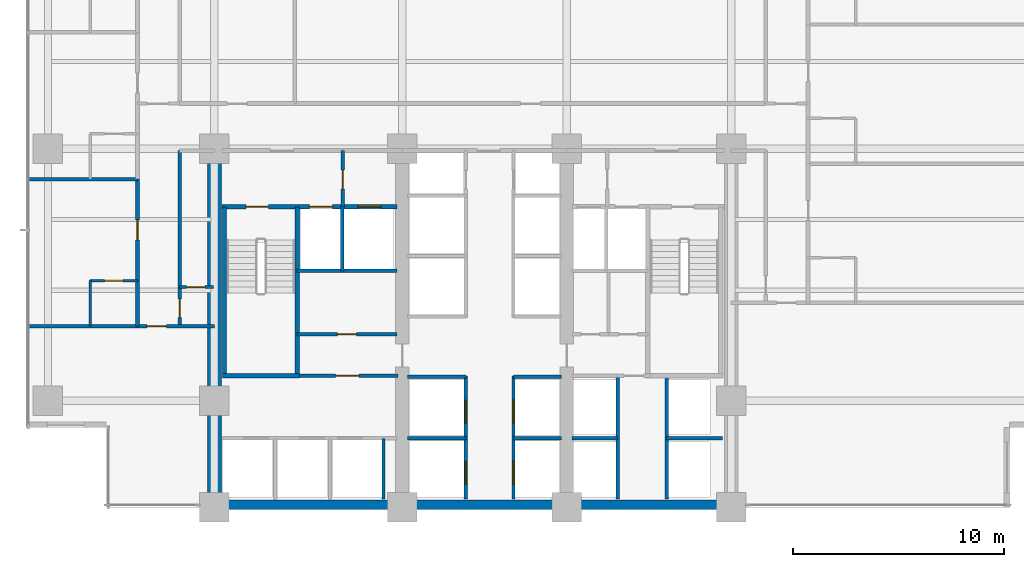
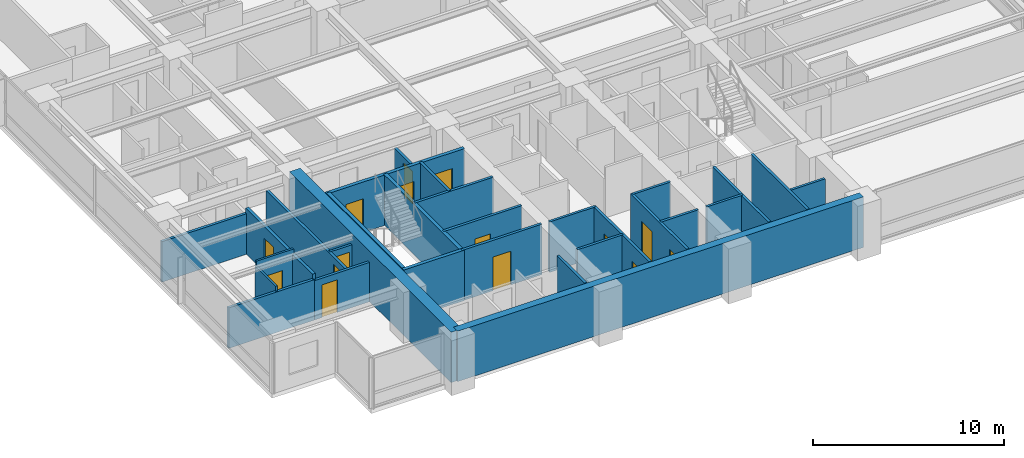
# One storey, part 7 of 17: 31 walls, 15 doors, 15 openings.
"""IFC4 building model written with IfcOpenShell, lengths in metres."""

from ifc_helpers import new_model, si_unit, direction, frame, frame_2d, origin, place, context, subcontext, project, spatial, rectangle, extrude, material, layer, layer_set, type_object, element, fill, save


model = new_model("IFC4")

# Units and contexts
model_context = context("Model", 3, precision=1e-05, world=origin(), true_north=direction((0.0, 1.0)))
body_context = subcontext(model_context, "Body", "Model", "MODEL_VIEW")
ifc_project = project(units=[si_unit("LENGTHUNIT", "METRE"), si_unit("AREAUNIT", "SQUARE_METRE"), si_unit("VOLUMEUNIT", "CUBIC_METRE"), si_unit("PLANEANGLEUNIT", "RADIAN"), si_unit("MASSUNIT", "GRAM", prefix="KILO")], contexts=[model_context])

# Site, building, storey
site_placement = place(None, origin())
site = spatial("IfcSite", under=ifc_project, at=site_placement, CompositionType="ELEMENT")
building_placement = place(site_placement, origin())
building = spatial("IfcBuilding", under=site, at=building_placement, Name="Qalmaran Belvedere Hotel", CompositionType="ELEMENT")
storey_placement = place(building_placement, frame((0.0, 0.0, 68.39990234375)))
storey = spatial("IfcBuildingStorey", under=building, at=storey_placement, Name="L17", CompositionType="ELEMENT", Elevation=68.39990234375)

# Walls
ifc_material_1 = material(Name="Concrete C60/75", Category="concrete")
ifc_layer_1 = layer(ifc_material_1, 0.64990234375, Name="Concrete C60/75")
ifc_layer_set_1 = layer_set([ifc_layer_1], Name="Concrete C60/75")
wall_type_1 = type_object("IfcWallType", Name="WL-CORE-650-C60", PredefinedType="SHEAR", material=ifc_layer_set_1)
wall_1_placement = place(storey_placement, frame((20.300048828125, 3.5, 0.0), z_axis=(0.0, 0.0, 1.0), x_axis=(0.0, 1.0, 0.0)))
element("IfcWall", 1, at=wall_1_placement, inside=storey, type_object=wall_type_1, Name="L17 West Core Shear Wall", PredefinedType="SHEAR", context=body_context, shape_type="SweptSolid", body=[
    extrude(rectangle(XDim=16.89990234375, YDim=0.64990234375, at=frame_2d((8.449951171875, 0.0))), origin(), (0.0, 0.0, 1.0), 3.22021484375),
])
ifc_material_2 = material(Name="Concrete C50/60", Category="concrete")
ifc_layer_2 = layer(ifc_material_2, 0.43994140625, Name="Concrete C50/60")
ifc_layer_set_2 = layer_set([ifc_layer_2], Name="Concrete C50/60")
wall_type_2 = type_object("IfcWallType", Name="WL-CORES-440-EXT", PredefinedType="SHEAR", material=ifc_layer_set_2)
wall_2_placement = place(storey_placement, frame((20.300048828125, 3.6298828125, 0.0), z_axis=(0.0, 0.0, 1.0), x_axis=(1.0, 0.0, 0.0)))
element("IfcWall", 2, at=wall_2_placement, inside=storey, type_object=wall_type_2, Name="L17 South Core Shear Wall", PredefinedType="SHEAR", context=body_context, shape_type="SweptSolid", body=[
    extrude(rectangle(XDim=24.5, YDim=0.43994140625, at=frame_2d((12.25, 0.0))), origin(), (0.0, 0.0, 1.0), 3.22021484375),
])

# Wall, opening, door
ifc_material_3 = material(Name="Moisture-Resistant Gypsum")
ifc_layer_3 = layer(ifc_material_3, 0.1201171875, Name="Moisture-Resistant Gypsum")
ifc_layer_set_3 = layer_set([ifc_layer_3], Name="Moisture-Resistant Gypsum")
wall_type_3 = type_object("IfcWallType", Name="WL-INT-120-BATH", PredefinedType="PARTITIONING", material=ifc_layer_set_3)
wall_3_placement = place(storey_placement, frame((14.39990234375, 14.25, 0.0), z_axis=(0.0, 0.0, 1.0), x_axis=(1.0, 0.0, 0.0)))
wall_3 = element("IfcWall", 3, at=wall_3_placement, inside=storey, type_object=wall_type_3, Name="L17 Partition WL-L17-WBN00", PredefinedType="PARTITIONING", context=body_context, shape_type="SweptSolid", body=[
    extrude(rectangle(XDim=2.25, YDim=0.1201171875, at=frame_2d((1.125, 0.0))), origin(), (0.0, 0.0, 1.0), 3.22021484375),
])
opening_1_placement = place(wall_3_placement, frame((1.56494140625, 0.0, 0.0), z_axis=(0.0, 0.0, 1.0), x_axis=(-1.0, 0.0, 0.0)))
opening_1 = element("IfcOpeningElement", 4, at=opening_1_placement, cuts=wall_3, Name="Opening D-BATH", PredefinedType="OPENING", context=body_context, shape_type="SweptSolid", body=[
    extrude(rectangle(XDim=0.8798828125, YDim=2.080078125, at=frame_2d((0.43994140625, 1.0400390625))), frame((0.0, 0.070068359375, 0.0), z_axis=(0.0, -1.0, 0.0), x_axis=(1.0, 0.0, 0.0)), (0.0, 0.0, 1.0), 0.14013671875),
])
ifc_material_4 = material(Name="Engineered Oak Veneer")
door_type_1 = type_object("IfcDoorType", Name="DR-INT-BATH-880X2080", OperationType="NOTDEFINED", PredefinedType="DOOR", material=ifc_material_4)
door_1_placement = place(opening_1_placement, origin())
door_1 = element("IfcDoor", 5, at=door_1_placement, inside=storey, type_object=door_type_1, Name="L17 W Ensuite Door 01", OperationType="SINGLE_SWING_LEFT", OverallHeight=2.080078125, OverallWidth=0.8798828125, PredefinedType="DOOR", context=body_context, shape_type="SweptSolid", body=[
    extrude(rectangle(XDim=0.8798828125, YDim=2.080078125, at=frame_2d((0.43994140625, 1.0400390625))), frame((0.0, 0.02490234375, 0.0), z_axis=(0.0, -1.0, 0.0), x_axis=(1.0, 0.0, 0.0)), (0.0, 0.0, 1.0), 0.050048828125),
])
fill(opening_1, door_1)

# Wall
wall_4_placement = place(storey_placement, frame((14.39990234375, 12.10009765625, 0.0), z_axis=(0.0, 0.0, 1.0), x_axis=(0.0, 1.0, 0.0)))
element("IfcWall", 6, at=wall_4_placement, inside=storey, type_object=wall_type_3, Name="L17 Partition WL-L17-WBS00", PredefinedType="PARTITIONING", context=body_context, shape_type="SweptSolid", body=[
    extrude(rectangle(XDim=2.14990234375, YDim=0.1201171875, at=frame_2d((1.074951171875, 0.0))), origin(), (0.0, 0.0, 1.0), 2.902099609375),
])

# Wall, opening, door
ifc_material_5 = material(Name="Gypsum Stud Partition")
ifc_layer_4 = layer(ifc_material_5, 0.139892578125, Name="Gypsum Stud Partition")
ifc_layer_set_4 = layer_set([ifc_layer_4], Name="Gypsum Stud Partition")
wall_type_4 = type_object("IfcWallType", Name="WL-INT-140-NR", PredefinedType="PARTITIONING", material=ifc_layer_set_4)
wall_5_placement = place(storey_placement, frame((18.64990234375, 13.949951171875, 0.0), z_axis=(0.0, 0.0, 1.0), x_axis=(1.0, 0.0, 0.0)))
wall_5 = element("IfcWall", 7, at=wall_5_placement, inside=storey, type_object=wall_type_4, Name="L17 Partition WL-L17-WCLSUB", PredefinedType="PARTITIONING", context=body_context, shape_type="SweptSolid", body=[
    extrude(rectangle(XDim=1.60009765625, YDim=0.139892578125, at=frame_2d((0.800048828125, 0.0))), origin(), (0.0, 0.0, 1.0), 2.510009765625),
])
opening_2_placement = place(wall_5_placement, frame((1.193115234375, 0.0, 0.0), z_axis=(0.0, 0.0, 1.0), x_axis=(-1.0, 0.0, 0.0)))
opening_2 = element("IfcOpeningElement", 8, at=opening_2_placement, cuts=wall_5, Name="Opening D-BATH", PredefinedType="OPENING", context=body_context, shape_type="SweptSolid", body=[
    extrude(rectangle(XDim=0.8798828125, YDim=2.080078125, at=frame_2d((0.43994140625, 1.0400390625))), frame((0.0, 0.080078125, 0.0), z_axis=(0.0, -1.0, 0.0), x_axis=(1.0, 0.0, 0.0)), (0.0, 0.0, 1.0), 0.159912109375),
])
door_2_placement = place(opening_2_placement, origin())
door_2 = element("IfcDoor", 9, at=door_2_placement, inside=storey, type_object=door_type_1, Name="L17 Closet Alcove Door", OperationType="SINGLE_SWING_RIGHT", OverallHeight=2.080078125, OverallWidth=0.8798828125, PredefinedType="DOOR", context=body_context, shape_type="SweptSolid", body=[
    extrude(rectangle(XDim=0.8798828125, YDim=2.080078125, at=frame_2d((0.43994140625, 1.0400390625))), frame((0.0, 0.02490234375, 0.0), z_axis=(0.0, -1.0, 0.0), x_axis=(1.0, 0.0, 0.0)), (0.0, 0.0, 1.0), 0.050048828125),
])
fill(opening_2, door_2)

# Walls
ifc_layer_5 = layer(ifc_material_5, 0.14990234375, Name="Gypsum Stud Partition")
ifc_layer_set_5 = layer_set([ifc_layer_5], Name="Gypsum Stud Partition")
wall_type_5 = type_object("IfcWallType", Name="WL-INT-150-EI120", PredefinedType="PARTITIONING", material=ifc_layer_set_5)
wall_6_placement = place(storey_placement, frame((26.360107421875, 14.719970703125, 0.0), z_axis=(0.0, 0.0, 1.0), x_axis=(0.0, 1.0, 0.0)))
element("IfcWall", 10, at=wall_6_placement, inside=storey, type_object=wall_type_5, Name="L17 Partition WL-FF1M-L17", PredefinedType="PARTITIONING", context=body_context, shape_type="SweptSolid", body=[
    extrude(rectangle(XDim=3.0400390625, YDim=0.14990234375, at=frame_2d((1.52001953125, 0.0))), origin(), (0.0, 0.0, 1.0), 3.22021484375),
])
wall_7_placement = place(storey_placement, frame((28.320068359375, 3.89990234375, 0.0), z_axis=(0.0, 0.0, 1.0), x_axis=(0.0, 1.0, 0.0)))
element("IfcWall", 11, at=wall_7_placement, inside=storey, type_object=wall_type_5, Name="L17 Partition WL-POM3-L17", PredefinedType="PARTITIONING", context=body_context, shape_type="SweptSolid", body=[
    extrude(rectangle(XDim=2.880126953125, YDim=0.14990234375, at=frame_2d((1.43994140625, 0.0))), origin(), (0.0, 0.0, 1.0), 3.22021484375),
])
wall_8_placement = place(storey_placement, frame((37.25, 6.780029296875, 0.0), z_axis=(0.0, 0.0, 1.0), x_axis=(1.0, 0.0, 0.0)))
element("IfcWall", 12, at=wall_8_placement, inside=storey, type_object=wall_type_5, Name="L17 Partition WL-PHMW-L17", PredefinedType="PARTITIONING", context=body_context, shape_type="SweptSolid", body=[
    extrude(rectangle(XDim=2.169921875, YDim=0.14990234375, at=frame_2d((1.0849609375, 0.0))), origin(), (0.0, 0.0, 1.0), 3.22021484375),
])
wall_9_placement = place(storey_placement, frame((41.739990234375, 6.780029296875, 0.0), z_axis=(0.0, 0.0, 1.0), x_axis=(1.0, 0.0, 0.0)))
element("IfcWall", 13, at=wall_9_placement, inside=storey, type_object=wall_type_5, Name="L17 Partition WL-PHME-L17", PredefinedType="PARTITIONING", context=body_context, shape_type="SweptSolid", body=[
    extrude(rectangle(XDim=2.659912109375, YDim=0.14990234375, at=frame_2d((1.330078125, 0.0))), origin(), (0.0, 0.0, 1.0), 2.510009765625),
])
wall_10_placement = place(storey_placement, frame((29.449951171875, 6.780029296875, 0.0), z_axis=(0.0, 0.0, 1.0), x_axis=(1.0, 0.0, 0.0)))
element("IfcWall", 14, at=wall_10_placement, inside=storey, type_object=wall_type_5, Name="L17 Partition WL-PLW-L17-67", PredefinedType="PARTITIONING", context=body_context, shape_type="SweptSolid", body=[
    extrude(rectangle(XDim=2.77001953125, YDim=0.14990234375, at=frame_2d((1.385009765625, 0.0))), origin(), (0.0, 0.0, 1.0), 3.22021484375),
])
wall_11_placement = place(storey_placement, frame((34.47998046875, 6.780029296875, 0.0), z_axis=(0.0, 0.0, 1.0), x_axis=(1.0, 0.0, 0.0)))
element("IfcWall", 15, at=wall_11_placement, inside=storey, type_object=wall_type_5, Name="L17 Partition WL-PLE-L17-67", PredefinedType="PARTITIONING", context=body_context, shape_type="SweptSolid", body=[
    extrude(rectangle(XDim=2.27001953125, YDim=0.14990234375, at=frame_2d((1.135009765625, 0.0))), origin(), (0.0, 0.0, 1.0), 3.22021484375),
])
wall_12_placement = place(storey_placement, frame((29.449951171875, 9.699951171875, 0.0), z_axis=(0.0, 0.0, 1.0), x_axis=(1.0, 0.0, 0.0)))
element("IfcWall", 16, at=wall_12_placement, inside=storey, type_object=wall_type_5, Name="L17 Partition WL-PLW-L17-97", PredefinedType="PARTITIONING", context=body_context, shape_type="SweptSolid", body=[
    extrude(rectangle(XDim=2.77001953125, YDim=0.14990234375, at=frame_2d((1.385009765625, 0.0))), origin(), (0.0, 0.0, 1.0), 3.22021484375),
])
wall_13_placement = place(storey_placement, frame((34.47998046875, 9.699951171875, 0.0), z_axis=(0.0, 0.0, 1.0), x_axis=(1.0, 0.0, 0.0)))
element("IfcWall", 17, at=wall_13_placement, inside=storey, type_object=wall_type_5, Name="L17 Partition WL-PLE-L17-97", PredefinedType="PARTITIONING", context=body_context, shape_type="SweptSolid", body=[
    extrude(rectangle(XDim=2.27001953125, YDim=0.14990234375, at=frame_2d((1.135009765625, 0.0))), origin(), (0.0, 0.0, 1.0), 3.22021484375),
])

# Wall, opening, door
ifc_layer_6 = layer(ifc_material_5, 0.159912109375, Name="Gypsum Stud Partition")
ifc_layer_set_6 = layer_set([ifc_layer_6], Name="Gypsum Stud Partition")
wall_type_6 = type_object("IfcWallType", Name="WL-INT-160-EI120", PredefinedType="PARTITIONING", material=ifc_layer_set_6)
wall_14_placement = place(storey_placement, frame((26.3798828125, 17.760009765625, 0.0), z_axis=(0.0, 0.0, 1.0), x_axis=(0.0, 1.0, 0.0)))
wall_14 = element("IfcWall", 18, at=wall_14_placement, inside=storey, type_object=wall_type_6, Name="L17 Partition WL-FFSV1-L17", PredefinedType="PARTITIONING", context=body_context, shape_type="SweptSolid", body=[
    extrude(rectangle(XDim=2.659912109375, YDim=0.159912109375, at=frame_2d((1.330078125, 0.0))), origin(), (0.0, 0.0, 1.0), 2.510009765625),
])
opening_3_placement = place(wall_14_placement, frame((0.85009765625, 0.0, 0.0)))
opening_3 = element("IfcOpeningElement", 19, at=opening_3_placement, cuts=wall_14, Name="Opening FD60B", PredefinedType="OPENING", context=body_context, shape_type="SweptSolid", body=[
    extrude(rectangle(XDim=0.8798828125, YDim=2.080078125, at=frame_2d((0.43994140625, 1.0400390625))), frame((0.0, 0.08984375, 0.0), z_axis=(0.0, -1.0, 0.0), x_axis=(1.0, 0.0, 0.0)), (0.0, 0.0, 1.0), 0.179931640625),
])
ifc_material_6 = material(Name="Steel S355JR", Category="steel")
door_type_2 = type_object("IfcDoorType", Name="DR-FD60B-880X2080", OperationType="NOTDEFINED", PredefinedType="DOOR", material=ifc_material_6)
door_3_placement = place(opening_3_placement, origin())
door_3 = element("IfcDoor", 20, at=door_3_placement, inside=storey, type_object=door_type_2, Name="L17 Service Lobby West Door", OperationType="SINGLE_SWING_LEFT", OverallHeight=2.080078125, OverallWidth=0.8798828125, PredefinedType="DOOR", context=body_context, shape_type="SweptSolid", body=[
    extrude(rectangle(XDim=0.8798828125, YDim=2.080078125, at=frame_2d((0.43994140625, 1.0400390625))), frame((0.0, 0.02490234375, 0.0), z_axis=(0.0, -1.0, 0.0), x_axis=(1.0, 0.0, 0.0)), (0.0, 0.0, 1.0), 0.050048828125),
])
fill(opening_3, door_3)

# Wall
wall_15_placement = place(storey_placement, frame((24.219970703125, 14.719970703125, 0.0), z_axis=(0.0, 0.0, 1.0), x_axis=(1.0, 0.0, 0.0)))
element("IfcWall", 21, at=wall_15_placement, inside=storey, type_object=wall_type_6, Name="L17 Partition WL-FF1S-L17", PredefinedType="PARTITIONING", context=body_context, shape_type="SweptSolid", body=[
    extrude(rectangle(XDim=4.72998046875, YDim=0.159912109375, at=frame_2d((2.364990234375, 0.0))), origin(), (0.0, 0.0, 1.0), 3.22021484375),
])

# Wall, opening, door
wall_16_placement = place(storey_placement, frame((24.199951171875, 9.739990234375, 0.0), z_axis=(0.0, 0.0, 1.0), x_axis=(1.0, 0.0, 0.0)))
wall_16 = element("IfcWall", 22, at=wall_16_placement, inside=storey, type_object=wall_type_6, Name="L17 Partition WL-PON-L17", PredefinedType="PARTITIONING", context=body_context, shape_type="SweptSolid", body=[
    extrude(rectangle(XDim=4.800048828125, YDim=0.159912109375, at=frame_2d((2.39990234375, 0.0))), origin(), (0.0, 0.0, 1.0), 3.22021484375),
])
opening_4_placement = place(wall_16_placement, frame((1.85009765625, 0.0, 0.0)))
opening_4 = element("IfcOpeningElement", 23, at=opening_4_placement, cuts=wall_16, Name="Opening FD90", PredefinedType="OPENING", context=body_context, shape_type="SweptSolid", body=[
    extrude(rectangle(XDim=1.10009765625, YDim=2.14990234375, at=frame_2d((0.550048828125, 1.074951171875))), frame((0.0, 0.08984375, 0.0), z_axis=(0.0, -1.0, 0.0), x_axis=(1.0, 0.0, 0.0)), (0.0, 0.0, 1.0), 0.179931640625),
])
door_type_3 = type_object("IfcDoorType", Name="DR-FD90-1100X2150", OperationType="NOTDEFINED", PredefinedType="DOOR", material=ifc_material_6)
door_4_placement = place(opening_4_placement, origin())
door_4 = element("IfcDoor", 24, at=door_4_placement, inside=storey, type_object=door_type_3, Name="L17 Shuttle Lobby Passage Door", OperationType="SINGLE_SWING_LEFT", OverallHeight=2.14990234375, OverallWidth=1.10009765625, PredefinedType="DOOR", context=body_context, shape_type="SweptSolid", body=[
    extrude(rectangle(XDim=1.10009765625, YDim=2.14990234375, at=frame_2d((0.550048828125, 1.074951171875))), frame((0.0, 0.02490234375, 0.0), z_axis=(0.0, -1.0, 0.0), x_axis=(1.0, 0.0, 0.0)), (0.0, 0.0, 1.0), 0.050048828125),
])
fill(opening_4, door_4)

# Walls
for number, where, z_axis, x_axis, name in (
    (25, (39.419921875, 3.89990234375, 0.0), (0.0, 0.0, 1.0), (0.0, 1.0, 0.0), "L17 Partition WL-PHW-L17"),
    (26, (41.739990234375, 3.89990234375, 0.0), (0.0, 0.0, 1.0), (0.0, 1.0, 0.0), "L17 Partition WL-PHE-L17"),
):
    element("IfcWall", number, at=place(storey_placement, frame(where, z_axis=z_axis, x_axis=x_axis)), inside=storey, type_object=wall_type_6, Name=name, PredefinedType="PARTITIONING", context=body_context, shape_type="SweptSolid", body=[
        extrude(rectangle(XDim=5.840087890625, YDim=0.159912109375, at=frame_2d((2.919921875, 0.0))), origin(), (0.0, 0.0, 1.0), 3.22021484375),
    ])

# Wall, openings, doors
wall_17_placement = place(storey_placement, frame((32.219970703125, 3.89990234375, 0.0), z_axis=(0.0, 0.0, 1.0), x_axis=(0.0, 1.0, 0.0)))
wall_17 = element("IfcWall", 27, at=wall_17_placement, inside=storey, type_object=wall_type_6, Name="L17 Partition WL-CLBWS-L17", PredefinedType="PARTITIONING", context=body_context, shape_type="SweptSolid", body=[
    extrude(rectangle(XDim=5.840087890625, YDim=0.159912109375, at=frame_2d((2.919921875, 0.0))), origin(), (0.0, 0.0, 1.0), 3.22021484375),
])
opening_5_placement = place(wall_17_placement, frame((1.780029296875, 0.0, 0.0), z_axis=(0.0, 0.0, 1.0), x_axis=(-1.0, 0.0, 0.0)))
opening_5 = element("IfcOpeningElement", 28, at=opening_5_placement, cuts=wall_17, Name="Opening LD-P1", PredefinedType="OPENING", context=body_context, shape_type="SweptSolid", body=[
    extrude(rectangle(XDim=1.080078125, YDim=2.159912109375, at=frame_2d((0.5400390625, 1.080078125))), frame((0.0, 0.08984375, 0.0), z_axis=(0.0, -1.0, 0.0), x_axis=(1.0, 0.0, 0.0)), (0.0, 0.0, 1.0), 0.179931640625),
])
opening_6_placement = place(wall_17_placement, frame((4.68017578125, 0.0, 0.0), z_axis=(0.0, 0.0, 1.0), x_axis=(-1.0, 0.0, 0.0)))
opening_6 = element("IfcOpeningElement", 29, at=opening_6_placement, cuts=wall_17, Name="Opening LD-P1", PredefinedType="OPENING", context=body_context, shape_type="SweptSolid", body=[
    extrude(rectangle(XDim=1.080078125, YDim=2.159912109375, at=frame_2d((0.5400390625, 1.080078125))), frame((0.0, 0.08984375, 0.0), z_axis=(0.0, -1.0, 0.0), x_axis=(1.0, 0.0, 0.0)), (0.0, 0.0, 1.0), 0.179931640625),
])
ifc_material_7 = material(Name="Stainless Steel 1.4401", Category="steel")
door_type_4 = type_object("IfcDoorType", Name="DR-LIFT-P1-1080X2160", OperationType="DOUBLE_DOOR_SLIDING", PredefinedType="DOOR", material=ifc_material_7)
door_5_placement = place(opening_5_placement, origin())
door_5 = element("IfcDoor", 30, at=door_5_placement, inside=storey, type_object=door_type_4, Name="L17 PL1 Lift Landing Door", OperationType="DOUBLE_DOOR_SLIDING", OverallHeight=2.159912109375, OverallWidth=1.080078125, PredefinedType="DOOR", context=body_context, shape_type="SweptSolid", body=[
    extrude(rectangle(XDim=1.080078125, YDim=2.159912109375, at=frame_2d((0.5400390625, 1.080078125))), frame((0.0, 0.02490234375, 0.0), z_axis=(0.0, -1.0, 0.0), x_axis=(1.0, 0.0, 0.0)), (0.0, 0.0, 1.0), 0.050048828125),
])
fill(opening_5, door_5)
door_6_placement = place(opening_6_placement, origin())
door_6 = element("IfcDoor", 31, at=door_6_placement, inside=storey, type_object=door_type_4, Name="L17 PL2 Lift Landing Door", OperationType="DOUBLE_DOOR_SLIDING", OverallHeight=2.159912109375, OverallWidth=1.080078125, PredefinedType="DOOR", context=body_context, shape_type="SweptSolid", body=[
    extrude(rectangle(XDim=1.080078125, YDim=2.159912109375, at=frame_2d((0.5400390625, 1.080078125))), frame((0.0, 0.02490234375, 0.0), z_axis=(0.0, -1.0, 0.0), x_axis=(1.0, 0.0, 0.0)), (0.0, 0.0, 1.0), 0.050048828125),
])
fill(opening_6, door_6)

wall_18_placement = place(storey_placement, frame((34.47998046875, 3.89990234375, 0.0), z_axis=(0.0, 0.0, 1.0), x_axis=(0.0, 1.0, 0.0)))
wall_18 = element("IfcWall", 32, at=wall_18_placement, inside=storey, type_object=wall_type_6, Name="L17 Partition WL-CLBES-L17", PredefinedType="PARTITIONING", context=body_context, shape_type="SweptSolid", body=[
    extrude(rectangle(XDim=5.840087890625, YDim=0.159912109375, at=frame_2d((2.919921875, 0.0))), origin(), (0.0, 0.0, 1.0), 3.22021484375),
])
opening_7_placement = place(wall_18_placement, frame((0.699951171875, 0.0, 0.0)))
opening_7 = element("IfcOpeningElement", 33, at=opening_7_placement, cuts=wall_18, Name="Opening LD-P1", PredefinedType="OPENING", context=body_context, shape_type="SweptSolid", body=[
    extrude(rectangle(XDim=1.080078125, YDim=2.159912109375, at=frame_2d((0.5400390625, 1.080078125))), frame((0.0, 0.08984375, 0.0), z_axis=(0.0, -1.0, 0.0), x_axis=(1.0, 0.0, 0.0)), (0.0, 0.0, 1.0), 0.179931640625),
])
opening_8_placement = place(wall_18_placement, frame((3.60009765625, 0.0, 0.0)))
opening_8 = element("IfcOpeningElement", 34, at=opening_8_placement, cuts=wall_18, Name="Opening LD-P1", PredefinedType="OPENING", context=body_context, shape_type="SweptSolid", body=[
    extrude(rectangle(XDim=1.080078125, YDim=2.159912109375, at=frame_2d((0.5400390625, 1.080078125))), frame((0.0, 0.08984375, 0.0), z_axis=(0.0, -1.0, 0.0), x_axis=(1.0, 0.0, 0.0)), (0.0, 0.0, 1.0), 0.179931640625),
])
door_7_placement = place(opening_7_placement, origin())
door_7 = element("IfcDoor", 35, at=door_7_placement, inside=storey, type_object=door_type_4, Name="L17 PL3 Lift Landing Door", OperationType="DOUBLE_DOOR_SLIDING", OverallHeight=2.159912109375, OverallWidth=1.080078125, PredefinedType="DOOR", context=body_context, shape_type="SweptSolid", body=[
    extrude(rectangle(XDim=1.080078125, YDim=2.159912109375, at=frame_2d((0.5400390625, 1.080078125))), frame((0.0, 0.02490234375, 0.0), z_axis=(0.0, -1.0, 0.0), x_axis=(1.0, 0.0, 0.0)), (0.0, 0.0, 1.0), 0.050048828125),
])
fill(opening_7, door_7)
door_8_placement = place(opening_8_placement, origin())
door_8 = element("IfcDoor", 36, at=door_8_placement, inside=storey, type_object=door_type_4, Name="L17 PL4 Lift Landing Door", OperationType="DOUBLE_DOOR_SLIDING", OverallHeight=2.159912109375, OverallWidth=1.080078125, PredefinedType="DOOR", context=body_context, shape_type="SweptSolid", body=[
    extrude(rectangle(XDim=1.080078125, YDim=2.159912109375, at=frame_2d((0.5400390625, 1.080078125))), frame((0.0, 0.02490234375, 0.0), z_axis=(0.0, -1.0, 0.0), x_axis=(1.0, 0.0, 0.0)), (0.0, 0.0, 1.0), 0.050048828125),
])
fill(opening_8, door_8)

# Wall, opening, door
ifc_layer_7 = layer(ifc_material_5, 0.159912109375, Name="Gypsum Stud Partition")
ifc_layer_set_7 = layer_set([ifc_layer_7], Name="Gypsum Stud Partition")
wall_type_7 = type_object("IfcWallType", Name="WL-INT-160-EI60", PredefinedType="PARTITIONING", material=ifc_layer_set_7)
wall_19_placement = place(storey_placement, frame((24.219970703125, 11.719970703125, 0.0), z_axis=(0.0, 0.0, 1.0), x_axis=(1.0, 0.0, 0.0)))
wall_19 = element("IfcWall", 37, at=wall_19_placement, inside=storey, type_object=wall_type_7, Name="L17 Partition WL-L17-KWE1", PredefinedType="PARTITIONING", context=body_context, shape_type="SweptSolid", body=[
    extrude(rectangle(XDim=4.72998046875, YDim=0.159912109375, at=frame_2d((2.364990234375, 0.0))), origin(), (0.0, 0.0, 1.0), 3.22021484375),
])
opening_9_placement = place(wall_19_placement, frame((1.905029296875, 0.0, 0.0)))
opening_9 = element("IfcOpeningElement", 38, at=opening_9_placement, cuts=wall_19, Name="Opening FD60S1", PredefinedType="OPENING", context=body_context, shape_type="SweptSolid", body=[
    extrude(rectangle(XDim=0.919921875, YDim=2.080078125, at=frame_2d((0.4599609375, 1.0400390625))), frame((0.0, 0.08984375, 0.0), z_axis=(0.0, -1.0, 0.0), x_axis=(1.0, 0.0, 0.0)), (0.0, 0.0, 1.0), 0.179931640625),
])
door_type_5 = type_object("IfcDoorType", Name="DR-FD60S-920X2080", OperationType="NOTDEFINED", PredefinedType="DOOR", material=ifc_material_4)
door_9_placement = place(opening_9_placement, origin())
door_9 = element("IfcDoor", 39, at=door_9_placement, inside=storey, type_object=door_type_5, Name="L17 Electrical Distribution Room Door", OperationType="SINGLE_SWING_RIGHT", OverallHeight=2.080078125, OverallWidth=0.919921875, PredefinedType="DOOR", context=body_context, shape_type="SweptSolid", body=[
    extrude(rectangle(XDim=0.919921875, YDim=2.080078125, at=frame_2d((0.4599609375, 1.0400390625))), frame((0.0, 0.02490234375, 0.0), z_axis=(0.0, -1.0, 0.0), x_axis=(1.0, 0.0, 0.0)), (0.0, 0.0, 1.0), 0.050048828125),
])
fill(opening_9, door_9)

wall_20_placement = place(storey_placement, frame((16.64990234375, 12.10009765625, 0.0), z_axis=(0.0, 0.0, 1.0), x_axis=(1.0, 0.0, 0.0)))
wall_20 = element("IfcWall", 40, at=wall_20_placement, inside=storey, type_object=wall_type_7, Name="L17 Partition WL-L17-SWRL", PredefinedType="PARTITIONING", context=body_context, shape_type="SweptSolid", body=[
    extrude(rectangle(XDim=3.650146484375, YDim=0.159912109375, at=frame_2d((1.8251953125, 0.0))), origin(), (0.0, 0.0, 1.0), 2.510009765625),
])
opening_10_placement = place(wall_20_placement, frame((1.369873046875, 0.0, 0.0), z_axis=(0.0, 0.0, 1.0), x_axis=(-1.0, 0.0, 0.0)))
opening_10 = element("IfcOpeningElement", 41, at=opening_10_placement, cuts=wall_20, Name="Opening FD60S1", PredefinedType="OPENING", context=body_context, shape_type="SweptSolid", body=[
    extrude(rectangle(XDim=0.919921875, YDim=2.080078125, at=frame_2d((0.4599609375, 1.0400390625))), frame((0.0, 0.08984375, 0.0), z_axis=(0.0, -1.0, 0.0), x_axis=(1.0, 0.0, 0.0)), (0.0, 0.0, 1.0), 0.179931640625),
])
door_10_placement = place(opening_10_placement, origin())
door_10 = element("IfcDoor", 42, at=door_10_placement, inside=storey, type_object=door_type_5, Name="L17 SW Lounge Door", OperationType="SINGLE_SWING_LEFT", OverallHeight=2.080078125, OverallWidth=0.919921875, PredefinedType="DOOR", context=body_context, shape_type="SweptSolid", body=[
    extrude(rectangle(XDim=0.919921875, YDim=2.080078125, at=frame_2d((0.4599609375, 1.0400390625))), frame((0.0, 0.02490234375, 0.0), z_axis=(0.0, -1.0, 0.0), x_axis=(1.0, 0.0, 0.0)), (0.0, 0.0, 1.0), 0.050048828125),
])
fill(opening_10, door_10)

wall_21_placement = place(storey_placement, frame((18.64990234375, 12.10009765625, 0.0), z_axis=(0.0, 0.0, 1.0), x_axis=(0.0, 1.0, 0.0)))
wall_21 = element("IfcWall", 43, at=wall_21_placement, inside=storey, type_object=wall_type_7, Name="L17 Partition WL-L17-WCL", PredefinedType="PARTITIONING", context=body_context, shape_type="SweptSolid", body=[
    extrude(rectangle(XDim=8.31982421875, YDim=0.159912109375, at=frame_2d((4.159912109375, 0.0))), origin(), (0.0, 0.0, 1.0), 2.510009765625),
])
opening_11_placement = place(wall_21_placement, frame((1.27978515625, 0.0, 0.0), z_axis=(0.0, 0.0, 1.0), x_axis=(-1.0, 0.0, 0.0)))
opening_11 = element("IfcOpeningElement", 44, at=opening_11_placement, cuts=wall_21, Name="Opening FD60B", PredefinedType="OPENING", context=body_context, shape_type="SweptSolid", body=[
    extrude(rectangle(XDim=0.8798828125, YDim=2.080078125, at=frame_2d((0.43994140625, 1.0400390625))), frame((0.0, 0.08984375, 0.0), z_axis=(0.0, -1.0, 0.0), x_axis=(1.0, 0.0, 0.0)), (0.0, 0.0, 1.0), 0.179931640625),
])
door_11_placement = place(opening_11_placement, origin())
door_11 = element("IfcDoor", 45, at=door_11_placement, inside=storey, type_object=door_type_2, Name="L17 West Closet Door", OperationType="SINGLE_SWING_LEFT", OverallHeight=2.080078125, OverallWidth=0.8798828125, PredefinedType="DOOR", context=body_context, shape_type="SweptSolid", body=[
    extrude(rectangle(XDim=0.8798828125, YDim=2.080078125, at=frame_2d((0.43994140625, 1.0400390625))), frame((0.0, 0.02490234375, 0.0), z_axis=(0.0, -1.0, 0.0), x_axis=(1.0, 0.0, 0.0)), (0.0, 0.0, 1.0), 0.050048828125),
])
fill(opening_11, door_11)

# Walls
for number, where, z_axis, x_axis, name in (
    (46, (11.469970703125, 12.10009765625, 0.0), (0.0, 0.0, 1.0), (1.0, 0.0, 0.0), "L17 Partition WL-L17-WBOT"),
    (47, (11.469970703125, 19.066650390625, 0.0), (0.0, 0.0, 1.0), (1.0, 0.0, 0.0), "L17 Partition WL-L17-WU00"),
):
    element("IfcWall", number, at=place(storey_placement, frame(where, z_axis=z_axis, x_axis=x_axis)), inside=storey, type_object=wall_type_7, Name=name, PredefinedType="PARTITIONING", context=body_context, shape_type="SweptSolid", body=[
        extrude(rectangle(XDim=5.179931640625, YDim=0.159912109375, at=frame_2d((2.58984375, 0.0))), origin(), (0.0, 0.0, 1.0), 2.5830078125),
    ])
ifc_layer_8 = layer(ifc_material_5, 0.179931640625, Name="Gypsum Stud Partition")
ifc_layer_set_8 = layer_set([ifc_layer_8], Name="Gypsum Stud Partition")
wall_type_8 = type_object("IfcWallType", Name="WL-INT-180-EI60", PredefinedType="PARTITIONING", material=ifc_layer_set_8)
wall_22_placement = place(storey_placement, frame((16.64990234375, 12.10009765625, 0.0), z_axis=(0.0, 0.0, 1.0), x_axis=(0.0, 1.0, 0.0)))
element("IfcWall", 48, at=wall_22_placement, inside=storey, type_object=wall_type_8, Name="L17 Partition WL-L17-WBC00", PredefinedType="PARTITIONING", context=body_context, shape_type="SweptSolid", body=[
    extrude(rectangle(XDim=2.14990234375, YDim=0.179931640625, at=frame_2d((1.074951171875, 0.0))), origin(), (0.0, 0.0, 1.0), 2.902099609375),
])

# Wall, opening, door
wall_23_placement = place(storey_placement, frame((16.64990234375, 14.25, 0.0), z_axis=(0.0, 0.0, 1.0), x_axis=(0.0, 1.0, 0.0)))
wall_23 = element("IfcWall", 49, at=wall_23_placement, inside=storey, type_object=wall_type_8, Name="L17 Partition WL-L17-WEC00", PredefinedType="PARTITIONING", context=body_context, shape_type="SweptSolid", body=[
    extrude(rectangle(XDim=4.816650390625, YDim=0.179931640625, at=frame_2d((2.408203125, 0.0))), origin(), (0.0, 0.0, 1.0), 2.902099609375),
])
opening_12_placement = place(wall_23_placement, frame((1.933349609375, 0.0, 0.0)))
opening_12 = element("IfcOpeningElement", 50, at=opening_12_placement, cuts=wall_23, Name="Opening FD60", PredefinedType="OPENING", context=body_context, shape_type="SweptSolid", body=[
    extrude(rectangle(XDim=0.949951171875, YDim=2.14990234375, at=frame_2d((0.47509765625, 1.074951171875))), frame((0.0, 0.10009765625, 0.0), z_axis=(0.0, -1.0, 0.0), x_axis=(1.0, 0.0, 0.0)), (0.0, 0.0, 1.0), 0.199951171875),
])
door_type_6 = type_object("IfcDoorType", Name="DR-FD60-950X2150", OperationType="NOTDEFINED", PredefinedType="DOOR", material=ifc_material_4)
door_12_placement = place(opening_12_placement, origin())
door_12 = element("IfcDoor", 51, at=door_12_placement, inside=storey, type_object=door_type_6, Name="L17 W Wing Door 01", OperationType="SINGLE_SWING_RIGHT", OverallHeight=2.14990234375, OverallWidth=0.949951171875, PredefinedType="DOOR", context=body_context, shape_type="SweptSolid", body=[
    extrude(rectangle(XDim=0.949951171875, YDim=2.14990234375, at=frame_2d((0.47509765625, 1.074951171875))), frame((0.0, 0.02490234375, 0.0), z_axis=(0.0, -1.0, 0.0), x_axis=(1.0, 0.0, 0.0)), (0.0, 0.0, 1.0), 0.050048828125),
])
fill(opening_12, door_12)

# Walls
ifc_layer_9 = layer(ifc_material_2, 0.2099609375, Name="Concrete C50/60")
ifc_layer_set_9 = layer_set([ifc_layer_9], Name="Concrete C50/60")
wall_type_9 = type_object("IfcWallType", Name="WL-STAIR-210-C50", PredefinedType="SHEAR", material=ifc_layer_set_9)
for number, where, z_axis, x_axis, name in (
    (52, (20.77490234375, 9.7451171875, 0.0), (0.0, 0.0, 1.0), (0.0, 1.0, 0.0), "L17 Stair ST-1 West Bearing Wall"),
    (53, (24.22509765625, 9.7451171875, 0.0), (0.0, 0.0, 1.0), (0.0, 1.0, 0.0), "L17 Stair ST-1 East Bearing Wall"),
):
    element("IfcWall", number, at=place(storey_placement, frame(where, z_axis=z_axis, x_axis=x_axis)), inside=storey, type_object=wall_type_9, Name=name, PredefinedType="SHEAR", context=body_context, shape_type="SweptSolid", body=[
        extrude(rectangle(XDim=8.009765625, YDim=0.2099609375, at=frame_2d((4.0048828125, 0.0))), origin(), (0.0, 0.0, 1.0), 3.22021484375),
    ])
wall_24_placement = place(storey_placement, frame((20.669921875, 9.7451171875, 0.0), z_axis=(0.0, 0.0, 1.0), x_axis=(1.0, 0.0, 0.0)))
element("IfcWall", 54, at=wall_24_placement, inside=storey, type_object=wall_type_9, Name="L17 Stair ST-1 South Bearing Wall", PredefinedType="SHEAR", context=body_context, shape_type="SweptSolid", body=[
    extrude(rectangle(XDim=3.66015625, YDim=0.2099609375, at=frame_2d((1.830078125, 0.0))), origin(), (0.0, 0.0, 1.0), 3.22021484375),
])

# Wall, openings, doors
wall_25_placement = place(storey_placement, frame((20.64990234375, 17.7548828125, 0.0), z_axis=(0.0, 0.0, 1.0), x_axis=(1.0, 0.0, 0.0)))
wall_25 = element("IfcWall", 55, at=wall_25_placement, inside=storey, type_object=wall_type_9, Name="L17 West Lobby and Stair ST-1 North Bearing Wall", PredefinedType="SHEAR", context=body_context, shape_type="SweptSolid", body=[
    extrude(rectangle(XDim=8.300048828125, YDim=0.2099609375, at=frame_2d((4.14990234375, 0.0))), origin(), (0.0, 0.0, 1.0), 3.22021484375),
])
opening_13_placement = place(wall_25_placement, frame((2.199951171875, 0.0, 0.0), z_axis=(0.0, 0.0, 1.0), x_axis=(-1.0, 0.0, 0.0)))
opening_13 = element("IfcOpeningElement", 56, at=opening_13_placement, cuts=wall_25, Name="Opening FD90S2", PredefinedType="OPENING", context=body_context, shape_type="SweptSolid", body=[
    extrude(rectangle(XDim=1.050048828125, YDim=2.14990234375, at=frame_2d((0.52490234375, 1.074951171875))), frame((0.0, 0.114990234375, 0.0), z_axis=(0.0, -1.0, 0.0), x_axis=(1.0, 0.0, 0.0)), (0.0, 0.0, 1.0), 0.22998046875),
])
opening_14_placement = place(wall_25_placement, frame((4.14990234375, 0.0, 0.0)))
opening_14 = element("IfcOpeningElement", 57, at=opening_14_placement, cuts=wall_25, Name="Opening LD-FF", PredefinedType="OPENING", context=body_context, shape_type="SweptSolid", body=[
    extrude(rectangle(XDim=1.10009765625, YDim=2.179931640625, at=frame_2d((0.550048828125, 1.08984375))), frame((0.0, 0.114990234375, 0.0), z_axis=(0.0, -1.0, 0.0), x_axis=(1.0, 0.0, 0.0)), (0.0, 0.0, 1.0), 0.22998046875),
])
opening_15_placement = place(wall_25_placement, frame((6.449951171875, 0.0, 0.0)))
opening_15 = element("IfcOpeningElement", 58, at=opening_15_placement, cuts=wall_25, Name="Opening LD-SV", PredefinedType="OPENING", context=body_context, shape_type="SweptSolid", body=[
    extrude(rectangle(XDim=1.1201171875, YDim=2.199951171875, at=frame_2d((0.56005859375, 1.10009765625))), frame((0.0, 0.114990234375, 0.0), z_axis=(0.0, -1.0, 0.0), x_axis=(1.0, 0.0, 0.0)), (0.0, 0.0, 1.0), 0.22998046875),
])
door_type_7 = type_object("IfcDoorType", Name="DR-FD90S-1050X2150", OperationType="NOTDEFINED", PredefinedType="DOOR", material=ifc_material_6)
door_13_placement = place(opening_13_placement, origin())
door_13 = element("IfcDoor", 59, at=door_13_placement, inside=storey, type_object=door_type_7, Name="L17 Stair ST-1 Door", OperationType="SINGLE_SWING_LEFT", OverallHeight=2.14990234375, OverallWidth=1.050048828125, PredefinedType="DOOR", context=body_context, shape_type="SweptSolid", body=[
    extrude(rectangle(XDim=1.050048828125, YDim=2.14990234375, at=frame_2d((0.52490234375, 1.074951171875))), frame((0.0, 0.02490234375, 0.0), z_axis=(0.0, -1.0, 0.0), x_axis=(1.0, 0.0, 0.0)), (0.0, 0.0, 1.0), 0.050048828125),
])
fill(opening_13, door_13)
door_type_8 = type_object("IfcDoorType", Name="DR-LIFT-FF-1100X2180", OperationType="DOUBLE_DOOR_SLIDING", PredefinedType="DOOR", material=ifc_material_7)
door_14_placement = place(opening_14_placement, origin())
door_14 = element("IfcDoor", 60, at=door_14_placement, inside=storey, type_object=door_type_8, Name="L17 FF1 Lift Landing Door", OperationType="DOUBLE_DOOR_SLIDING", OverallHeight=2.179931640625, OverallWidth=1.10009765625, PredefinedType="DOOR", context=body_context, shape_type="SweptSolid", body=[
    extrude(rectangle(XDim=1.10009765625, YDim=2.179931640625, at=frame_2d((0.550048828125, 1.08984375))), frame((0.0, 0.02490234375, 0.0), z_axis=(0.0, -1.0, 0.0), x_axis=(1.0, 0.0, 0.0)), (0.0, 0.0, 1.0), 0.050048828125),
])
fill(opening_14, door_14)
door_type_9 = type_object("IfcDoorType", Name="DR-LIFT-SV-1120X2200", OperationType="DOUBLE_DOOR_SLIDING", PredefinedType="DOOR", material=ifc_material_7)
door_15_placement = place(opening_15_placement, origin())
door_15 = element("IfcDoor", 61, at=door_15_placement, inside=storey, type_object=door_type_9, Name="L17 SV1 Lift Landing Door", OperationType="DOUBLE_DOOR_SLIDING", OverallHeight=2.199951171875, OverallWidth=1.1201171875, PredefinedType="DOOR", context=body_context, shape_type="SweptSolid", body=[
    extrude(rectangle(XDim=1.1201171875, YDim=2.199951171875, at=frame_2d((0.56005859375, 1.10009765625))), frame((0.0, 0.02490234375, 0.0), z_axis=(0.0, -1.0, 0.0), x_axis=(1.0, 0.0, 0.0)), (0.0, 0.0, 1.0), 0.050048828125),
])
fill(opening_15, door_15)

save(model, "model.ifc")
